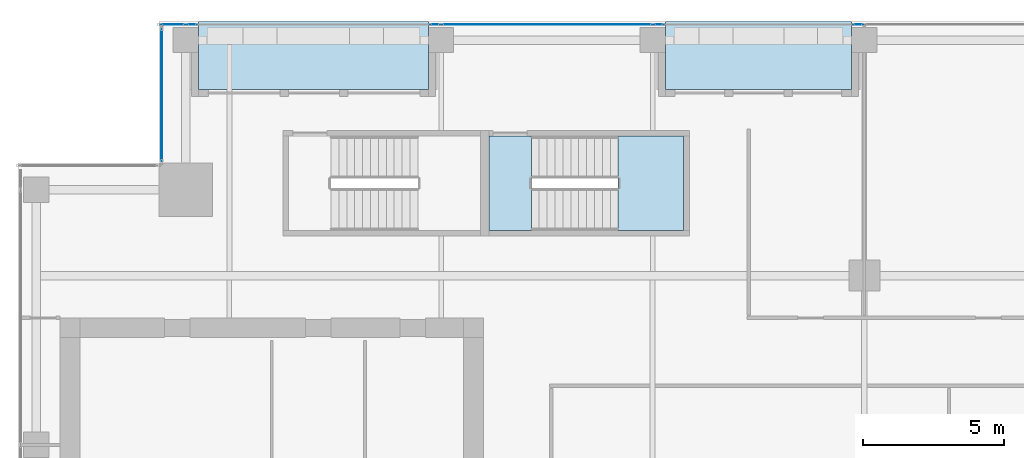
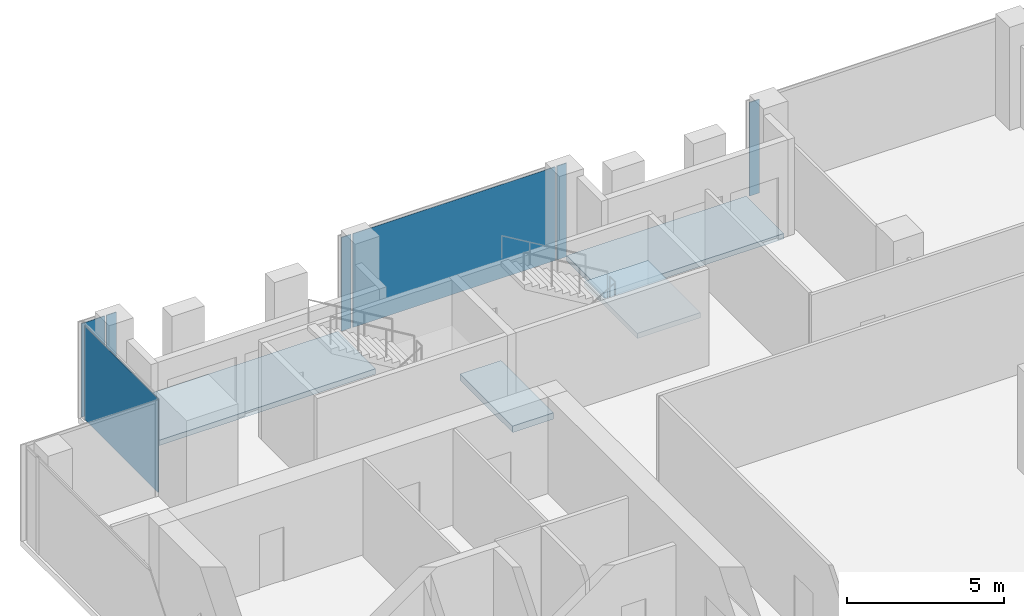
# One storey, part 28 of 35: 7 plates, 4 slabs, 5 elements without a shape of their own.
"""IFC4 building model written with IfcOpenShell, lengths in metres."""

from ifc_helpers import new_model, si_unit, direction, frame, origin, origin_2d, place, context, subcontext, project, spatial, polyline, rectangle, outline, extrude, source, transform, mapped, material, layer, layer_set, type_object, element, aggregate, save


model = new_model("IFC4")

# Units and contexts
model_context = context("Model", 3, precision=1e-05, world=origin(), true_north=direction((0.0, 1.0)))
body_context = subcontext(model_context, "Body", "Model", "MODEL_VIEW")
ifc_project = project(units=[si_unit("LENGTHUNIT", "METRE"), si_unit("AREAUNIT", "SQUARE_METRE"), si_unit("VOLUMEUNIT", "CUBIC_METRE"), si_unit("PLANEANGLEUNIT", "RADIAN"), si_unit("MASSUNIT", "GRAM", prefix="KILO")], contexts=[model_context])

# Site, building, storey
site_placement = place(None, origin())
site = spatial("IfcSite", under=ifc_project, at=site_placement, CompositionType="ELEMENT")
building_placement = place(site_placement, origin())
building = spatial("IfcBuilding", under=site, at=building_placement, Name="Khomas Fold Tower", CompositionType="ELEMENT")
storey_placement = place(building_placement, frame((0.0, 0.0, 270.199951171875)))
storey = spatial("IfcBuildingStorey", under=building, at=storey_placement, Name="L61", CompositionType="ELEMENT", Elevation=270.199951171875)

# Curtain wall, plate
ifc_material_1 = material(Name="Aluminium framed double glazing", Category="aluminium")
curtain_wall_type = type_object("IfcCurtainWallType", Name="SK-Unitised clear-glass wall, office floors CW2", PredefinedType="NOTDEFINED", material=ifc_material_1)
curtain_wall_1_placement = place(storey_placement, origin())
curtain_wall_1 = element("IfcCurtainWall", 1, at=curtain_wall_1_placement, inside=storey, type_object=curtain_wall_type, Name="CW2 run L61 06-1", PredefinedType="NOTDEFINED")
ifc_material_2 = material(Name="Clear double glazed unit")
ifc_layer_1 = layer(ifc_material_2, 0.030029296875)
ifc_layer_set_1 = layer_set([ifc_layer_1], Name="Clear double glazed unit")
plate_type = type_object("IfcPlateType", Name="SK-Unitised clear-glass wall, office floors glass panel CW2-P", PredefinedType="CURTAIN_PANEL", material=ifc_layer_set_1)
shared_shape_1 = source(origin(), body_context, "Body", "SweptSolid", [
    extrude(rectangle(XDim=7.43994140625, YDim=0.030029296875, at=origin_2d()), origin(), (0.0, 0.0, 1.0), 3.639892578125),
])
plate_1_placement = place(storey_placement, frame((23.25, 49.39990234375, 0.0), z_axis=(0.0, 0.0, 1.0), x_axis=(-1.0, 0.0, 0.0)))
plate_1 = element("IfcPlate", 2, at=plate_1_placement, type_object=plate_type, Name="CW2 glass panel 2", PredefinedType="CURTAIN_PANEL", context=body_context, shape_type="MappedRepresentation", body=[
    mapped(shared_shape_1, transform((0.0, 0.0, 0.0))),
])

curtain_wall_2_placement = place(storey_placement, origin())
curtain_wall_2 = element("IfcCurtainWall", 3, at=curtain_wall_2_placement, inside=storey, type_object=curtain_wall_type, Name="CW2 run L61 06-2", PredefinedType="NOTDEFINED")
shared_shape_2 = source(origin(), body_context, "Body", "SweptSolid", [
    extrude(rectangle(XDim=0.860107421875, YDim=0.030029296875, at=origin_2d()), origin(), (0.0, 0.0, 1.0), 3.639892578125),
])
plate_2_placement = place(storey_placement, frame((9.989990234375, 49.39990234375, 0.0), z_axis=(0.0, 0.0, 1.0), x_axis=(-1.0, 0.0, 0.0)))
plate_2 = element("IfcPlate", 4, at=plate_2_placement, type_object=plate_type, Name="CW2 glass panel 2", PredefinedType="CURTAIN_PANEL", context=body_context, shape_type="MappedRepresentation", body=[
    mapped(shared_shape_2, transform((0.0, 0.0, 0.0))),
])

curtain_wall_3_placement = place(storey_placement, origin())
curtain_wall_3 = element("IfcCurtainWall", 5, at=curtain_wall_3_placement, inside=storey, type_object=curtain_wall_type, Name="CW2 corner return L61 07", PredefinedType="NOTDEFINED")
shared_shape_3 = source(origin(), body_context, "Body", "SweptSolid", [
    extrude(rectangle(XDim=4.679931640625, YDim=0.030029296875, at=origin_2d()), origin(), (0.0, 0.0, 1.0), 3.639892578125),
])
plate_3_placement = place(storey_placement, frame((9.60009765625, 46.89990234375, 0.0), z_axis=(0.0, 0.0, 1.0), x_axis=(0.0, -1.0, 0.0)))
plate_3 = element("IfcPlate", 6, at=plate_3_placement, type_object=plate_type, Name="CW2 glass panel 1", PredefinedType="CURTAIN_PANEL", context=body_context, shape_type="MappedRepresentation", body=[
    mapped(shared_shape_3, transform((0.0, 0.0, 0.0))),
])
aggregate(curtain_wall_3, [plate_3])

curtain_wall_4_placement = place(storey_placement, origin())
curtain_wall_4 = element("IfcCurtainWall", 7, at=curtain_wall_4_placement, inside=storey, type_object=curtain_wall_type, Name="CW2 run L61 06-0", PredefinedType="NOTDEFINED")
shared_shape_4 = source(origin(), body_context, "Body", "SweptSolid", [
    extrude(rectangle(XDim=0.360107421875, YDim=0.030029296875, at=origin_2d()), origin(), (0.0, 0.0, 1.0), 3.639892578125),
])
plate_4_placement = place(storey_placement, frame((34.2900390625, 49.39990234375, 0.0), z_axis=(0.0, 0.0, 1.0), x_axis=(-1.0, 0.0, 0.0)))
plate_4 = element("IfcPlate", 8, at=plate_4_placement, type_object=plate_type, Name="CW2 glass panel 3", PredefinedType="CURTAIN_PANEL", context=body_context, shape_type="MappedRepresentation", body=[
    mapped(shared_shape_4, transform((0.0, 0.0, 0.0))),
])
aggregate(curtain_wall_4, [plate_4])

# Plate
plate_5_placement = place(storey_placement, frame((27.2099609375, 49.39990234375, 0.0), z_axis=(0.0, 0.0, 1.0), x_axis=(-1.0, 0.0, 0.0)))
plate_5 = element("IfcPlate", 9, at=plate_5_placement, type_object=plate_type, Name="CW2 glass panel 1", PredefinedType="CURTAIN_PANEL", context=body_context, shape_type="MappedRepresentation", body=[
    mapped(shared_shape_4, transform((0.0, 0.0, 0.0))),
])

plate_6_placement = place(storey_placement, frame((19.2900390625, 49.39990234375, 0.0), z_axis=(0.0, 0.0, 1.0), x_axis=(-1.0, 0.0, 0.0)))
plate_6 = element("IfcPlate", 10, at=plate_6_placement, type_object=plate_type, Name="CW2 glass panel 3", PredefinedType="CURTAIN_PANEL", context=body_context, shape_type="MappedRepresentation", body=[
    mapped(shared_shape_4, transform((0.0, 0.0, 0.0))),
])

aggregate(curtain_wall_1, [plate_5, plate_1, plate_6])

plate_7_placement = place(storey_placement, frame((10.659912109375, 49.39990234375, 0.0), z_axis=(0.0, 0.0, 1.0), x_axis=(-1.0, 0.0, 0.0)))
plate_7 = element("IfcPlate", 11, at=plate_7_placement, type_object=plate_type, Name="CW2 glass panel 1", PredefinedType="CURTAIN_PANEL", context=body_context, shape_type="MappedRepresentation", body=[
    mapped(shared_shape_4, transform((0.0, 0.0, 0.0))),
])

aggregate(curtain_wall_2, [plate_7, plate_2])

# Slabs
ifc_material_3 = material(Name="Concrete C40/50", Category="concrete")
ifc_layer_2 = layer(ifc_material_3, 0.205078125)
ifc_layer_set_2 = layer_set([ifc_layer_2], Name="Concrete C40/50")
slab_type_1 = type_object("IfcSlabType", Name="BL-Balcony deck 205", PredefinedType="FLOOR", material=ifc_layer_set_2)
shared_shape_5 = source(origin(), body_context, "Body", "SweptSolid", [
    extrude(outline(polyline([(10.89990234375, 47.10009765625), (19.050048828125, 47.10009765625), (19.050048828125, 49.5), (10.89990234375, 49.5), (10.89990234375, 47.10009765625)])), origin(), (0.0, 0.0, 1.0), 0.205078125),
])
slab_1_placement = place(storey_placement, frame((0.0, 0.0, -0.25)))
element("IfcSlab", 12, at=slab_1_placement, inside=storey, type_object=slab_type_1, Name="Balcony deck BAL-L61-N1", PredefinedType="FLOOR", context=body_context, shape_type="MappedRepresentation", body=[
    mapped(shared_shape_5, transform((0.0, 0.0, 0.0))),
])
shared_shape_6 = source(origin(), body_context, "Body", "SweptSolid", [
    extrude(outline(polyline([(27.449951171875, 47.10009765625), (34.050048828125, 47.10009765625), (34.050048828125, 49.5), (27.449951171875, 49.5), (27.449951171875, 47.10009765625)])), origin(), (0.0, 0.0, 1.0), 0.205078125),
])
slab_2_placement = place(storey_placement, frame((0.0, 0.0, -0.25)))
element("IfcSlab", 13, at=slab_2_placement, inside=storey, type_object=slab_type_1, Name="Balcony deck BAL-L61-N3", PredefinedType="FLOOR", context=body_context, shape_type="MappedRepresentation", body=[
    mapped(shared_shape_6, transform((0.0, 0.0, 0.0))),
])

# Stair, slab
ifc_material_4 = material(Name="Concrete C40/50", Category="concrete")
stair_type = type_object("IfcStairType", Name="Stair ST3", PredefinedType="HALF_TURN_STAIR", material=ifc_material_4)
stair_placement = place(storey_placement, origin())
stair = element("IfcStair", 14, at=stair_placement, inside=storey, type_object=stair_type, Name="L61 ST3", PredefinedType="HALF_TURN_STAIR")
ifc_material_5 = material(Name="Concrete C40/50", Category="concrete")
ifc_layer_3 = layer(ifc_material_5, 0.199951171875)
ifc_layer_set_3 = layer_set([ifc_layer_3], Name="Concrete C40/50")
slab_type_2 = type_object("IfcSlabType", Name="Stair landing 200", PredefinedType="LANDING", material=ifc_layer_set_3)
shared_shape_7 = source(origin(), body_context, "Body", "SweptSolid", [
    extrude(outline(polyline([(25.780029296875, 42.10009765625), (28.10009765625, 42.10009765625), (28.10009765625, 45.449951171875), (25.780029296875, 45.449951171875), (25.780029296875, 42.10009765625)])), origin(), (0.0, 0.0, 1.0), 0.199951171875),
])
slab_3_placement = place(storey_placement, frame((0.0, 0.0, 1.800048828125)))
slab_3 = element("IfcSlab", 15, at=slab_3_placement, type_object=slab_type_2, Name="ST3 landing 1", PredefinedType="LANDING", context=body_context, shape_type="MappedRepresentation", body=[
    mapped(shared_shape_7, transform((0.0, 0.0, 0.0))),
])
aggregate(stair, [slab_3])

# Slab
ifc_material_6 = material(Name="Concrete C40/50", Category="concrete")
ifc_layer_4 = layer(ifc_material_6, 0.25)
ifc_layer_set_4 = layer_set([ifc_layer_4], Name="Concrete C40/50")
slab_type_3 = type_object("IfcSlabType", Name="Stair floor landing 250", PredefinedType="LANDING", material=ifc_layer_set_4)
shared_shape_8 = source(origin(), body_context, "Body", "SweptSolid", [
    extrude(outline(polyline([(22.699951171875, 42.10009765625), (21.199951171875, 42.10009765625), (21.199951171875, 45.449951171875), (22.699951171875, 45.449951171875), (22.699951171875, 42.10009765625)])), origin(), (0.0, 0.0, 1.0), 0.25),
])
slab_4_placement = place(storey_placement, frame((0.0, 0.0, -0.25)))
element("IfcSlab", 16, at=slab_4_placement, inside=storey, type_object=slab_type_3, Name="ST3 floor landing", PredefinedType="LANDING", context=body_context, shape_type="MappedRepresentation", body=[
    mapped(shared_shape_8, transform((0.0, 0.0, 0.0))),
])

save(model, "model.ifc")
